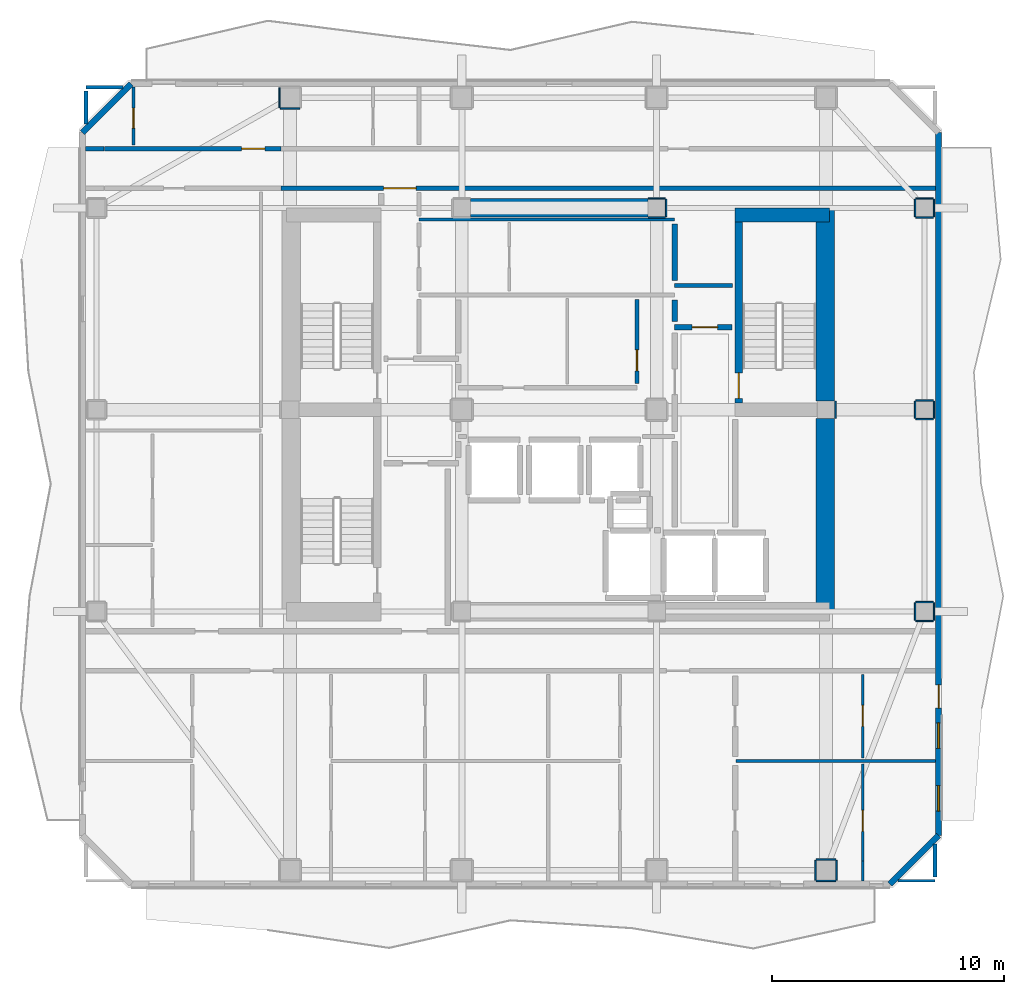
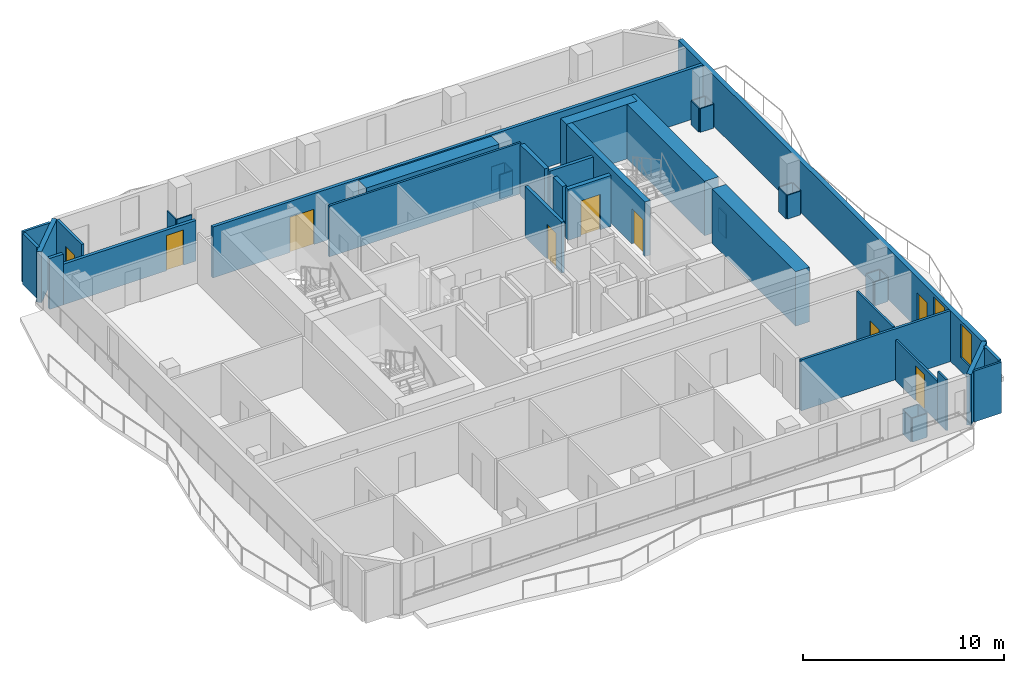
# One storey, part 5 of 10: 48 walls, 9 doors, 2 windows, 11 openings.
"""IFC4 building model written with IfcOpenShell, lengths in metres."""

from ifc_helpers import new_model, si_unit, direction, frame, frame_2d, origin, place, context, subcontext, project, spatial, rectangle, extrude, material, layer, layer_set, type_object, element, fill, save


model = new_model("IFC4")

# Units and contexts
model_context = context("Model", 3, precision=1e-05, world=origin(), true_north=direction((0.0, 1.0)))
body_context = subcontext(model_context, "Body", "Model", "MODEL_VIEW")
ifc_project = project(units=[si_unit("LENGTHUNIT", "METRE"), si_unit("AREAUNIT", "SQUARE_METRE"), si_unit("VOLUMEUNIT", "CUBIC_METRE"), si_unit("PLANEANGLEUNIT", "RADIAN"), si_unit("MASSUNIT", "GRAM", prefix="KILO")], contexts=[model_context])

# Site, building, storey
site_placement = place(None, origin())
site = spatial("IfcSite", under=ifc_project, at=site_placement, CompositionType="ELEMENT")
building_placement = place(site_placement, origin())
building = spatial("IfcBuilding", under=site, at=building_placement, Name="Solanera Arch Residences", CompositionType="ELEMENT")
storey_placement = place(building_placement, frame((0.0, 0.0, 196.800048828125)))
storey = spatial("IfcBuildingStorey", under=building, at=storey_placement, Name="L57", CompositionType="ELEMENT", Elevation=196.800048828125)

# Walls
ifc_material_1 = material(Name="Fire-Rated Gypsum Stud Partition", Category="gypsum")
ifc_layer_1 = layer(ifc_material_1, 0.06005859375)
ifc_layer_set_1 = layer_set([ifc_layer_1], Name="Fire-Rated Gypsum Stud Partition")
wall_type_1 = type_object("IfcWallType", Name="Column Acoustic Furring Wall 60", PredefinedType="PARTITIONING", material=ifc_layer_set_1)
for number, where, z_axis, x_axis, name in (
    (1, (28.8330078125, 38.992919921875, 0.0), (0.0, 0.0, 1.0), (1.0, 0.0, 0.0), "L57 Column Furring 4S"),
    (2, (28.8330078125, 39.806884765625, 0.0), (0.0, 0.0, 1.0), (1.0, 0.0, 0.0), "L57 Column Furring 4N"),
):
    element("IfcWall", number, at=place(storey_placement, frame(where, z_axis=z_axis, x_axis=x_axis)), inside=storey, type_object=wall_type_1, Name=name, PredefinedType="PARTITIONING", context=body_context, shape_type="SweptSolid", body=[
        extrude(rectangle(XDim=0.741943359375, YDim=0.06005859375, at=frame_2d((0.37109375, 0.0))), origin(), (0.0, 0.0, 1.0), 1.449951171875),
    ])
for number, where, z_axis, x_axis, name in (
    (3, (29.60693359375, 39.02490234375, 0.0), (0.0, 0.0, 1.0), (0.0, 1.0, 0.0), "L57 Column Furring 4E"),
    (4, (36.906982421875, 30.324951171875, 0.0), (0.0, 0.0, 1.0), (0.0, 1.0, 0.0), "L57 Column Furring 6E"),
):
    element("IfcWall", number, at=place(storey_placement, frame(where, z_axis=z_axis, x_axis=x_axis)), inside=storey, type_object=wall_type_1, Name=name, PredefinedType="PARTITIONING", context=body_context, shape_type="SweptSolid", body=[
        extrude(rectangle(XDim=0.75, YDim=0.06005859375, at=frame_2d((0.375, 0.0))), origin(), (0.0, 0.0, 1.0), 1.449951171875),
    ])
for number, where, z_axis, x_axis, name in (
    (5, (12.97509765625, 43.693115234375, 0.0), (0.0, 0.0, 1.0), (1.0, 0.0, 0.0), "L57 Column Furring 10S"),
    (6, (12.943115234375, 43.72509765625, 0.0), (0.0, 0.0, 1.0), (0.0, 1.0, 0.0), "L57 Column Furring 10W"),
):
    element("IfcWall", number, at=place(storey_placement, frame(where, z_axis=z_axis, x_axis=x_axis)), inside=storey, type_object=wall_type_1, Name=name, PredefinedType="PARTITIONING", context=body_context, shape_type="SweptSolid", body=[
        extrude(rectangle(XDim=0.849853515625, YDim=0.06005859375, at=frame_2d((0.4248046875, 0.0))), origin(), (0.0, 0.0, 1.0), 1.449951171875),
    ])
for number, where, z_axis, x_axis, name in (
    (7, (36.074951171875, 10.39306640625, 0.0), (0.0, 0.0, 1.0), (1.0, 0.0, 0.0), "L57 Column Furring 15S"),
    (8, (36.074951171875, 11.306884765625, 0.0), (0.0, 0.0, 1.0), (1.0, 0.0, 0.0), "L57 Column Furring 15N"),
):
    element("IfcWall", number, at=place(storey_placement, frame(where, z_axis=z_axis, x_axis=x_axis)), inside=storey, type_object=wall_type_1, Name=name, PredefinedType="PARTITIONING", context=body_context, shape_type="SweptSolid", body=[
        extrude(rectangle(XDim=0.85009765625, YDim=0.06005859375, at=frame_2d((0.425048828125, 0.0))), origin(), (0.0, 0.0, 1.0), 1.449951171875),
    ])
for number, where, z_axis, x_axis, name in (
    (9, (36.04296875, 10.425048828125, 0.0), (0.0, 0.0, 1.0), (0.0, 1.0, 0.0), "L57 Column Furring 15W"),
    (10, (36.95703125, 10.425048828125, 0.0), (0.0, 0.0, 1.0), (0.0, 1.0, 0.0), "L57 Column Furring 15E"),
):
    element("IfcWall", number, at=place(storey_placement, frame(where, z_axis=z_axis, x_axis=x_axis)), inside=storey, type_object=wall_type_1, Name=name, PredefinedType="PARTITIONING", context=body_context, shape_type="SweptSolid", body=[
        extrude(rectangle(XDim=0.849853515625, YDim=0.06005859375, at=frame_2d((0.4248046875, 0.0))), origin(), (0.0, 0.0, 1.0), 1.449951171875),
    ])
for number, where, z_axis, x_axis, name in (
    (11, (40.375, 21.593017578125, 0.0), (0.0, 0.0, 1.0), (1.0, 0.0, 0.0), "L57 Column Furring 18S"),
    (12, (40.375, 22.406982421875, 0.0), (0.0, 0.0, 1.0), (1.0, 0.0, 0.0), "L57 Column Furring 18N"),
    (13, (40.343017578125, 21.625, 0.0), (0.0, 0.0, 1.0), (0.0, 1.0, 0.0), "L57 Column Furring 18W"),
    (14, (41.156982421875, 21.625, 0.0), (0.0, 0.0, 1.0), (0.0, 1.0, 0.0), "L57 Column Furring 18E"),
    (15, (40.375, 30.29296875, 0.0), (0.0, 0.0, 1.0), (1.0, 0.0, 0.0), "L57 Column Furring 20S"),
    (16, (40.375, 31.10693359375, 0.0), (0.0, 0.0, 1.0), (1.0, 0.0, 0.0), "L57 Column Furring 20N"),
    (17, (40.343017578125, 30.324951171875, 0.0), (0.0, 0.0, 1.0), (0.0, 1.0, 0.0), "L57 Column Furring 20W"),
    (18, (41.156982421875, 30.324951171875, 0.0), (0.0, 0.0, 1.0), (0.0, 1.0, 0.0), "L57 Column Furring 20E"),
    (19, (40.375, 38.992919921875, 0.0), (0.0, 0.0, 1.0), (1.0, 0.0, 0.0), "L57 Column Furring 22S"),
    (20, (40.375, 39.806884765625, 0.0), (0.0, 0.0, 1.0), (1.0, 0.0, 0.0), "L57 Column Furring 22N"),
    (21, (40.343017578125, 39.02490234375, 0.0), (0.0, 0.0, 1.0), (0.0, 1.0, 0.0), "L57 Column Furring 22W"),
    (22, (41.156982421875, 39.02490234375, 0.0), (0.0, 0.0, 1.0), (0.0, 1.0, 0.0), "L57 Column Furring 22E"),
):
    element("IfcWall", number, at=place(storey_placement, frame(where, z_axis=z_axis, x_axis=x_axis)), inside=storey, type_object=wall_type_1, Name=name, PredefinedType="PARTITIONING", context=body_context, shape_type="SweptSolid", body=[
        extrude(rectangle(XDim=0.75, YDim=0.06005859375, at=frame_2d((0.375, 0.0))), origin(), (0.0, 0.0, 1.0), 1.449951171875),
    ])

# Wall, opening, door
ifc_material_2 = material(Name="Concrete C40/50 (f'c = 45 MPa)", Category="concrete")
ifc_layer_2 = layer(ifc_material_2, 0.320068359375)
ifc_layer_set_2 = layer_set([ifc_layer_2], Name="Concrete C40/50 (f'c = 45 MPa)")
wall_type_2 = type_object("IfcWallType", Name="Core Shear Wall CW-320", PredefinedType="SHEAR", material=ifc_layer_set_2)
wall_1_placement = place(storey_placement, frame((32.739990234375, 31.0, 0.0), z_axis=(0.0, 0.0, 1.0), x_axis=(0.0, 1.0, 0.0)))
wall_1 = element("IfcWall", 23, at=wall_1_placement, inside=storey, type_object=wall_type_2, Name="L57 Stair ST-T2 West Shear Wall", PredefinedType="SHEAR", context=body_context, shape_type="SweptSolid", body=[
    extrude(rectangle(XDim=7.800048828125, YDim=0.320068359375, at=frame_2d((3.89990234375, 0.0))), origin(), (0.0, 0.0, 1.0), 3.320068359375),
])
opening_1_placement = place(wall_1_placement, frame((0.18994140625, 0.0, 0.0)))
opening_1 = element("IfcOpeningElement", 24, at=opening_1_placement, cuts=wall_1, Name="Opening DF-01", PredefinedType="OPENING", context=body_context, shape_type="SweptSolid", body=[
    extrude(rectangle(XDim=1.10009765625, YDim=2.14990234375, at=frame_2d((0.550048828125, 1.074951171875))), frame((0.0, 0.169921875, 0.0), z_axis=(0.0, -1.0, 0.0), x_axis=(1.0, 0.0, 0.0)), (0.0, 0.0, 1.0), 0.3401),
])
ifc_material_3 = material(Name="Fire-Rated Architectural Hardwood", Category="wood")
door_type_1 = type_object("IfcDoorType", Name="Stair Exit Fire Door DF-01", OperationType="NOTDEFINED", PredefinedType="DOOR", material=ifc_material_3)
door_1_placement = place(opening_1_placement, origin())
door_1 = element("IfcDoor", 25, at=door_1_placement, inside=storey, type_object=door_type_1, Name="DR-L57-STAIR-ST-T2", OperationType="SINGLE_SWING_LEFT", OverallHeight=2.14990234375, OverallWidth=1.10009765625, PredefinedType="DOOR", context=body_context, shape_type="SweptSolid", body=[
    extrude(rectangle(XDim=1.10009765625, YDim=2.14990234375, at=frame_2d((0.550048828125, 1.074951171875))), frame((0.0, 0.02490234375, 0.0), z_axis=(0.0, -1.0, 0.0), x_axis=(1.0, 0.0, 0.0)), (0.0, 0.0, 1.0), 0.050048828125),
])
fill(opening_1, door_1)

# Walls
ifc_material_4 = material(Name="Concrete C40/50 (f'c = 45 MPa)", Category="concrete")
ifc_layer_3 = layer(ifc_material_4, 0.60009765625)
ifc_layer_set_3 = layer_set([ifc_layer_3], Name="Concrete C40/50 (f'c = 45 MPa)")
wall_type_3 = type_object("IfcWallType", Name="Core Shear Wall CW-600", PredefinedType="SHEAR", material=ifc_layer_set_3)
wall_2_placement = place(storey_placement, frame((32.580078125, 39.10009765625, 0.0), z_axis=(0.0, 0.0, 1.0), x_axis=(1.0, 0.0, 0.0)))
element("IfcWall", 26, at=wall_2_placement, inside=storey, type_object=wall_type_3, Name="L57 North-East Core Shear Wall", PredefinedType="SHEAR", context=body_context, shape_type="SweptSolid", body=[
    extrude(rectangle(XDim=4.079833984375, YDim=0.60009765625, at=frame_2d((2.0400390625, 0.0))), origin(), (0.0, 0.0, 1.0), 3.320068359375),
])
ifc_material_5 = material(Name="Concrete C40/50 (f'c = 45 MPa)", Category="concrete")
ifc_layer_4 = layer(ifc_material_5, 0.800048828125)
ifc_layer_set_4 = layer_set([ifc_layer_4], Name="Concrete C40/50 (f'c = 45 MPa)")
wall_type_4 = type_object("IfcWallType", Name="Core Shear Wall CW-800", PredefinedType="SHEAR", material=ifc_layer_set_4)
wall_3_placement = place(storey_placement, frame((36.4599609375, 22.0, 0.0), z_axis=(0.0, 0.0, 1.0), x_axis=(0.0, 1.0, 0.0)))
element("IfcWall", 27, at=wall_3_placement, inside=storey, type_object=wall_type_4, Name="L57 East Core South Shear Wall", PredefinedType="SHEAR", context=body_context, shape_type="SweptSolid", body=[
    extrude(rectangle(XDim=8.320068359375, YDim=0.800048828125, at=frame_2d((4.16015625, 0.0))), origin(), (0.0, 0.0, 1.0), 3.320068359375),
])
wall_4_placement = place(storey_placement, frame((36.4599609375, 31.080078125, 0.0), z_axis=(0.0, 0.0, 1.0), x_axis=(0.0, 1.0, 0.0)))
element("IfcWall", 28, at=wall_4_placement, inside=storey, type_object=wall_type_4, Name="L57 East Core North Shear Wall", PredefinedType="SHEAR", context=body_context, shape_type="SweptSolid", body=[
    extrude(rectangle(XDim=8.31982421875, YDim=0.800048828125, at=frame_2d((4.159912109375, 0.0))), origin(), (0.0, 0.0, 1.0), 3.320068359375),
])
wall_5_placement = place(storey_placement, frame((21.179931640625, 39.39990234375, 0.0), z_axis=(0.0, 0.0, 1.0), x_axis=(1.0, 0.0, 0.0)))
element("IfcWall", 29, at=wall_5_placement, inside=storey, type_object=wall_type_4, Name="L57 Central North Core Shear Wall", PredefinedType="SHEAR", context=body_context, shape_type="SweptSolid", body=[
    extrude(rectangle(XDim=7.64013671875, YDim=0.800048828125, at=frame_2d((3.820068359375, 0.0))), origin(), (0.0, 0.0, 1.0), 3.320068359375),
])
ifc_material_6 = material(Name="Autoclaved Aerated Concrete Blockwork", Category="masonry")
ifc_layer_5 = layer(ifc_material_6, 0.179931640625)
ifc_layer_set_5 = layer_set([ifc_layer_5], Name="Autoclaved Aerated Concrete Blockwork")
wall_type_5 = type_object("IfcWallType", Name="Corridor Fire Partition 180", PredefinedType="PARTITIONING", material=ifc_layer_set_5)
wall_6_placement = place(storey_placement, frame((29.97509765625, 36.050048828125, 0.0), z_axis=(0.0, 0.0, 1.0), x_axis=(1.0, 0.0, 0.0)))
element("IfcWall", 30, at=wall_6_placement, inside=storey, type_object=wall_type_5, Name="L57 Interior Partition H10", PredefinedType="PARTITIONING", context=body_context, shape_type="SweptSolid", body=[
    extrude(rectangle(XDim=2.5048828125, YDim=0.179931640625, at=frame_2d((1.25244140625, 0.0))), origin(), (0.0, 0.0, 1.0), 3.099853515625),
])

# Wall, opening, door
wall_7_placement = place(storey_placement, frame((13.011962890625, 40.25, 0.0), z_axis=(0.0, 0.0, 1.0), x_axis=(1.0, 0.0, 0.0)))
wall_7 = element("IfcWall", 31, at=wall_7_placement, inside=storey, type_object=wall_type_5, Name="L57 Interior Partition H11 3", PredefinedType="PARTITIONING", context=body_context, shape_type="SweptSolid", body=[
    extrude(rectangle(XDim=28.200927734375, YDim=0.179931640625, at=frame_2d((14.1005859375, 0.0))), origin(), (0.0, 0.0, 1.0), 3.099853515625),
])
opening_2_placement = place(wall_7_placement, frame((4.423095703125, 0.0, 0.0)))
opening_2 = element("IfcOpeningElement", 32, at=opening_2_placement, cuts=wall_7, Name="Opening DF-03", PredefinedType="OPENING", context=body_context, shape_type="SweptSolid", body=[
    extrude(rectangle(XDim=1.39990234375, YDim=2.14990234375, at=frame_2d((0.699951171875, 1.074951171875))), frame((0.0, 0.10009765625, 0.0), z_axis=(0.0, -1.0, 0.0), x_axis=(1.0, 0.0, 0.0)), (0.0, 0.0, 1.0), 0.1999),
])
ifc_material_7 = material(Name="Fire-Rated Architectural Hardwood", Category="wood")
door_type_2 = type_object("IfcDoorType", Name="Corridor Smoke Door DF-03", OperationType="NOTDEFINED", PredefinedType="DOOR", material=ifc_material_7)
door_2_placement = place(opening_2_placement, origin())
door_2 = element("IfcDoor", 33, at=door_2_placement, inside=storey, type_object=door_type_2, Name="DR-L57-IN-009", OperationType="SINGLE_SWING_RIGHT", OverallHeight=2.14990234375, OverallWidth=1.39990234375, PredefinedType="DOOR", context=body_context, shape_type="SweptSolid", body=[
    extrude(rectangle(XDim=1.39990234375, YDim=2.14990234375, at=frame_2d((0.699951171875, 1.074951171875))), frame((0.0, 0.02490234375, 0.0), z_axis=(0.0, -1.0, 0.0), x_axis=(1.0, 0.0, 0.0)), (0.0, 0.0, 1.0), 0.050048828125),
])
fill(opening_2, door_2)

# Wall
wall_8_placement = place(storey_placement, frame((4.5869140625, 41.949951171875, 0.0), z_axis=(0.0, 0.0, 1.0), x_axis=(1.0, 0.0, 0.0)))
element("IfcWall", 34, at=wall_8_placement, inside=storey, type_object=wall_type_5, Name="L57 Interior Partition H12 1", PredefinedType="PARTITIONING", context=body_context, shape_type="SweptSolid", body=[
    extrude(rectangle(XDim=0.801025390625, YDim=0.179931640625, at=frame_2d((0.400390625, 0.0))), origin(), (0.0, 0.0, 1.0), 3.099853515625),
])

# Wall, opening, door
wall_9_placement = place(storey_placement, frame((5.387939453125, 41.949951171875, 0.0), z_axis=(0.0, 0.0, 1.0), x_axis=(1.0, 0.0, 0.0)))
wall_9 = element("IfcWall", 35, at=wall_9_placement, inside=storey, type_object=wall_type_5, Name="L57 Interior Partition H12 2", PredefinedType="PARTITIONING", context=body_context, shape_type="SweptSolid", body=[
    extrude(rectangle(XDim=7.6240234375, YDim=0.179931640625, at=frame_2d((3.81201171875, 0.0))), origin(), (0.0, 0.0, 1.0), 2.47705078125),
])
opening_3_placement = place(wall_9_placement, frame((5.922119140625, 0.0, 0.0)))
opening_3 = element("IfcOpeningElement", 36, at=opening_3_placement, cuts=wall_9, Name="Opening DI-01", PredefinedType="OPENING", context=body_context, shape_type="SweptSolid", body=[
    extrude(rectangle(XDim=1.0, YDim=2.14990234375, at=frame_2d((0.5, 1.074951171875))), frame((0.0, 0.10009765625, 0.0), z_axis=(0.0, -1.0, 0.0), x_axis=(1.0, 0.0, 0.0)), (0.0, 0.0, 1.0), 0.1999),
])
ifc_material_8 = material(Name="Fire-Rated Architectural Hardwood", Category="wood")
door_type_3 = type_object("IfcDoorType", Name="Unit Entrance Fire Door DI-01", OperationType="NOTDEFINED", PredefinedType="DOOR", material=ifc_material_8)
door_3_placement = place(opening_3_placement, origin())
door_3 = element("IfcDoor", 37, at=door_3_placement, inside=storey, type_object=door_type_3, Name="DR-L57-IN-028", OperationType="SINGLE_SWING_LEFT", OverallHeight=2.14990234375, OverallWidth=1.0, PredefinedType="DOOR", context=body_context, shape_type="SweptSolid", body=[
    extrude(rectangle(XDim=1.0, YDim=2.14990234375, at=frame_2d((0.5, 1.074951171875))), frame((0.0, 0.02490234375, 0.0), z_axis=(0.0, -1.0, 0.0), x_axis=(1.0, 0.0, 0.0)), (0.0, 0.0, 1.0), 0.050048828125),
])
fill(opening_3, door_3)

# Wall
wall_10_placement = place(storey_placement, frame((4.60009765625, 43.010986328125, 0.0), z_axis=(0.0, 0.0, 1.0), x_axis=(0.0, 1.0, 0.0)))
element("IfcWall", 38, at=wall_10_placement, inside=storey, type_object=wall_type_5, Name="L57 Interior Partition V7 2", PredefinedType="PARTITIONING", context=body_context, shape_type="SweptSolid", body=[
    extrude(rectangle(XDim=1.4208984375, YDim=0.179931640625, at=frame_2d((0.71044921875, 0.0))), origin(), (0.0, 0.0, 1.0), 3.099853515625),
])

# Wall, opening, door
wall_11_placement = place(storey_placement, frame((28.35009765625, 31.837890625, 0.0), z_axis=(0.0, 0.0, 1.0), x_axis=(0.0, 1.0, 0.0)))
wall_11 = element("IfcWall", 39, at=wall_11_placement, inside=storey, type_object=wall_type_5, Name="L57 Interior Partition V10", PredefinedType="PARTITIONING", context=body_context, shape_type="SweptSolid", body=[
    extrude(rectangle(XDim=3.6240234375, YDim=0.179931640625, at=frame_2d((1.81201171875, 0.0))), origin(), (0.0, 0.0, 1.0), 3.099853515625),
])
opening_4_placement = place(wall_11_placement, frame((0.541015625, 0.0, 0.0)))
opening_4 = element("IfcOpeningElement", 40, at=opening_4_placement, cuts=wall_11, Name="Opening DI-02", PredefinedType="OPENING", context=body_context, shape_type="SweptSolid", body=[
    extrude(rectangle(XDim=0.89990234375, YDim=2.10009765625, at=frame_2d((0.449951171875, 1.050048828125))), frame((0.0, 0.10009765625, 0.0), z_axis=(0.0, -1.0, 0.0), x_axis=(1.0, 0.0, 0.0)), (0.0, 0.0, 1.0), 0.1999),
])
ifc_material_9 = material(Name="Fire-Rated Architectural Hardwood", Category="wood")
door_type_4 = type_object("IfcDoorType", Name="Suite Room Swing Door DI-02", OperationType="NOTDEFINED", PredefinedType="DOOR", material=ifc_material_9)
door_4_placement = place(opening_4_placement, origin())
door_4 = element("IfcDoor", 41, at=door_4_placement, inside=storey, type_object=door_type_4, Name="DR-L57-IN-013", OperationType="SINGLE_SWING_RIGHT", OverallHeight=2.10009765625, OverallWidth=0.89990234375, PredefinedType="DOOR", context=body_context, shape_type="SweptSolid", body=[
    extrude(rectangle(XDim=0.89990234375, YDim=2.10009765625, at=frame_2d((0.449951171875, 1.050048828125))), frame((0.0, 0.02490234375, 0.0), z_axis=(0.0, -1.0, 0.0), x_axis=(1.0, 0.0, 0.0)), (0.0, 0.0, 1.0), 0.050048828125),
])
fill(opening_4, door_4)

# Walls
wall_12_placement = place(storey_placement, frame((41.199951171875, 10.55810546875, 0.0), z_axis=(0.0, 0.0, 1.0), x_axis=(0.0, 1.0, 0.0)))
element("IfcWall", 42, at=wall_12_placement, inside=storey, type_object=wall_type_5, Name="L57 Interior Partition V11", PredefinedType="PARTITIONING", context=body_context, shape_type="SweptSolid", body=[
    extrude(rectangle(XDim=1.430908203125, YDim=0.179931640625, at=frame_2d((0.71533203125, 0.0))), origin(), (0.0, 0.0, 1.0), 3.099853515625),
])
ifc_material_10 = material(Name="Precast Concrete C35/45", Category="concrete")
ifc_layer_6 = layer(ifc_material_10, 0.260009765625)
ifc_layer_set_6 = layer_set([ifc_layer_6], Name="Precast Concrete C35/45")
wall_type_6 = type_object("IfcWallType", Name="Exterior Wall Precast Masonry-Frame 260", PredefinedType="STANDARD", material=ifc_layer_set_6)
wall_13_placement = place(storey_placement, frame((4.445068359375, 42.655029296875, 0.0), z_axis=(0.0, 0.0, 1.0), x_axis=(0.707106781187, 0.707106781187, 0.0)))
element("IfcWall", 43, at=wall_13_placement, inside=storey, type_object=wall_type_6, Name="L57 Tower Exterior Precast Masonry-Frame Wall CH1", PredefinedType="STANDARD", context=body_context, shape_type="SweptSolid", body=[
    extrude(rectangle(XDim=2.9697265625, YDim=0.260009765625, at=frame_2d((1.48486328125, 0.0))), origin(), (0.0, 0.0, 1.0), 3.099853515625),
])

# Wall, openings, door, windows
wall_14_placement = place(storey_placement, frame((41.35498046875, 42.655029296875, 0.0), z_axis=(0.0, 0.0, 1.0), x_axis=(0.0, -1.0, 0.0)))
wall_14 = element("IfcWall", 44, at=wall_14_placement, inside=storey, type_object=wall_type_6, Name="L57 Tower Exterior Precast Masonry-Frame Wall E", PredefinedType="STANDARD", context=body_context, shape_type="SweptSolid", body=[
    extrude(rectangle(XDim=30.31005859375, YDim=0.260009765625, at=frame_2d((15.155029296875, 0.0))), origin(), (0.0, 0.0, 1.0), 3.099853515625),
])
opening_5_placement = place(wall_14_placement, frame((23.818115234375, 0.0, 0.0)))
opening_5 = element("IfcOpeningElement", 45, at=opening_5_placement, cuts=wall_14, Name="Opening DB-01", PredefinedType="OPENING", context=body_context, shape_type="SweptSolid", body=[
    extrude(rectangle(XDim=1.0, YDim=2.14990234375, at=frame_2d((0.5, 1.074951171875))), frame((0.0, 0.139892578125, 0.0), z_axis=(0.0, -1.0, 0.0), x_axis=(1.0, 0.0, 0.0)), (0.0, 0.0, 1.0), 0.28),
])
opening_6_placement = place(wall_14_placement, frame((25.45703125, 0.0, 0.85009765625)))
opening_6 = element("IfcOpeningElement", 46, at=opening_6_placement, cuts=wall_14, Name="Opening W-11", PredefinedType="OPENING", context=body_context, shape_type="SweptSolid", body=[
    extrude(rectangle(XDim=1.10009765625, YDim=2.050048828125, at=frame_2d((0.550048828125, 1.02490234375))), frame((0.0, 0.139892578125, 0.0), z_axis=(0.0, -1.0, 0.0), x_axis=(1.0, 0.0, 0.0)), (0.0, 0.0, 1.0), 0.28),
])
opening_7_placement = place(wall_14_placement, frame((28.157958984375, 0.0, 0.85009765625)))
opening_7 = element("IfcOpeningElement", 47, at=opening_7_placement, cuts=wall_14, Name="Opening W-11", PredefinedType="OPENING", context=body_context, shape_type="SweptSolid", body=[
    extrude(rectangle(XDim=1.10009765625, YDim=2.050048828125, at=frame_2d((0.550048828125, 1.02490234375))), frame((0.0, 0.139892578125, 0.0), z_axis=(0.0, -1.0, 0.0), x_axis=(1.0, 0.0, 0.0)), (0.0, 0.0, 1.0), 0.28),
])
ifc_material_11 = material(Name="Anodised Aluminium Alloy 6063-T6", Category="aluminium")
door_type_5 = type_object("IfcDoorType", Name="Glazed Balcony Swing Door DB-01", OperationType="NOTDEFINED", PredefinedType="DOOR", material=ifc_material_11)
door_5_placement = place(opening_5_placement, origin())
door_5 = element("IfcDoor", 48, at=door_5_placement, inside=storey, type_object=door_type_5, Name="DR-L57-OUT-03", OperationType="SINGLE_SWING_LEFT", OverallHeight=2.14990234375, OverallWidth=1.0, PredefinedType="DOOR", context=body_context, shape_type="SweptSolid", body=[
    extrude(rectangle(XDim=1.0, YDim=2.14990234375, at=frame_2d((0.5, 1.074951171875))), frame((0.0, 0.02490234375, 0.0), z_axis=(0.0, -1.0, 0.0), x_axis=(1.0, 0.0, 0.0)), (0.0, 0.0, 1.0), 0.050048828125),
])
fill(opening_5, door_5)
ifc_material_12 = material(Name="Double Glazed Low-E Laminated Glass", Category="glass")
window_type = type_object("IfcWindowType", Name="Punched Window W-11", PartitioningType="SINGLE_PANEL", PredefinedType="WINDOW", material=ifc_material_12)
window_1_placement = place(opening_6_placement, origin())
window_1 = element("IfcWindow", 49, at=window_1_placement, inside=storey, type_object=window_type, Name="L57 5702-STD Punched Window", OverallHeight=2.050048828125, OverallWidth=1.10009765625, PartitioningType="SINGLE_PANEL", PredefinedType="WINDOW", context=body_context, shape_type="SweptSolid", body=[
    extrude(rectangle(XDim=1.10009765625, YDim=2.050048828125, at=frame_2d((0.550048828125, 1.02490234375))), frame((0.0, 0.030029296875, 0.0), z_axis=(0.0, -1.0, 0.0), x_axis=(1.0, 0.0, 0.0)), (0.0, 0.0, 1.0), 0.06005859375),
])
fill(opening_6, window_1)
window_2_placement = place(opening_7_placement, origin())
window_2 = element("IfcWindow", 50, at=window_2_placement, inside=storey, type_object=window_type, Name="L57 5702-BR3 Punched Window", OverallHeight=2.050048828125, OverallWidth=1.10009765625, PartitioningType="SINGLE_PANEL", PredefinedType="WINDOW", context=body_context, shape_type="SweptSolid", body=[
    extrude(rectangle(XDim=1.10009765625, YDim=2.050048828125, at=frame_2d((0.550048828125, 1.02490234375))), frame((0.0, 0.030029296875, 0.0), z_axis=(0.0, -1.0, 0.0), x_axis=(1.0, 0.0, 0.0)), (0.0, 0.0, 1.0), 0.06005859375),
])
fill(opening_7, window_2)

# Wall
wall_15_placement = place(storey_placement, frame((41.35498046875, 12.344970703125, 0.0), z_axis=(0.0, 0.0, 1.0), x_axis=(-0.707147883682, -0.707065676302, 0.0)))
element("IfcWall", 51, at=wall_15_placement, inside=storey, type_object=wall_type_6, Name="L57 Tower Exterior Precast Masonry-Frame Wall CH5", PredefinedType="STANDARD", context=body_context, shape_type="SweptSolid", body=[
    extrude(rectangle(XDim=2.9697265625, YDim=0.260009765625, at=frame_2d((1.48486328125, 0.0))), origin(), (0.0, 0.0, 1.0), 3.099853515625),
])

# Wall, opening, door
ifc_material_13 = material(Name="Autoclaved Aerated Concrete Blockwork", Category="masonry")
ifc_layer_7 = layer(ifc_material_13, 0.239990234375)
ifc_layer_set_7 = layer_set([ifc_layer_7], Name="Autoclaved Aerated Concrete Blockwork")
wall_type_7 = type_object("IfcWallType", Name="Shaft Wall Fire-Rated 240", PredefinedType="PARTITIONING", material=ifc_layer_set_7)
wall_16_placement = place(storey_placement, frame((29.97509765625, 34.25, 0.0), z_axis=(0.0, 0.0, 1.0), x_axis=(1.0, 0.0, 0.0)))
wall_16 = element("IfcWall", 52, at=wall_16_placement, inside=storey, type_object=wall_type_7, Name="L57 Interior Partition H5", PredefinedType="PARTITIONING", context=body_context, shape_type="SweptSolid", body=[
    extrude(rectangle(XDim=2.474853515625, YDim=0.239990234375, at=frame_2d((1.2373046875, 0.0))), origin(), (0.0, 0.0, 1.0), 3.099853515625),
])
opening_8_placement = place(wall_16_placement, frame((0.751953125, 0.0, 0.0)))
opening_8 = element("IfcOpeningElement", 53, at=opening_8_placement, cuts=wall_16, Name="Opening DF-02", PredefinedType="OPENING", context=body_context, shape_type="SweptSolid", body=[
    extrude(rectangle(XDim=1.10009765625, YDim=2.14990234375, at=frame_2d((0.550048828125, 1.074951171875))), frame((0.0, 0.1298828125, 0.0), z_axis=(0.0, -1.0, 0.0), x_axis=(1.0, 0.0, 0.0)), (0.0, 0.0, 1.0), 0.26),
])
ifc_material_14 = material(Name="Fire-Rated Architectural Hardwood", Category="wood")
door_type_6 = type_object("IfcDoorType", Name="Firefighting Lobby Fire Door DF-02", OperationType="NOTDEFINED", PredefinedType="DOOR", material=ifc_material_14)
door_6_placement = place(opening_8_placement, origin())
door_6 = element("IfcDoor", 54, at=door_6_placement, inside=storey, type_object=door_type_6, Name="DR-L57-IN-007", OperationType="SINGLE_SWING_RIGHT", OverallHeight=2.14990234375, OverallWidth=1.10009765625, PredefinedType="DOOR", context=body_context, shape_type="SweptSolid", body=[
    extrude(rectangle(XDim=1.10009765625, YDim=2.14990234375, at=frame_2d((0.550048828125, 1.074951171875))), frame((0.0, 0.02490234375, 0.0), z_axis=(0.0, -1.0, 0.0), x_axis=(1.0, 0.0, 0.0)), (0.0, 0.0, 1.0), 0.050048828125),
])
fill(opening_8, door_6)

# Walls
wall_17_placement = place(storey_placement, frame((29.97509765625, 34.498046875, 0.0), z_axis=(0.0, 0.0, 1.0), x_axis=(0.0, 1.0, 0.0)))
element("IfcWall", 55, at=wall_17_placement, inside=storey, type_object=wall_type_7, Name="L57 Interior Partition V4 3", PredefinedType="PARTITIONING", context=body_context, shape_type="SweptSolid", body=[
    extrude(rectangle(XDim=0.933837890625, YDim=0.239990234375, at=frame_2d((0.466796875, 0.0))), origin(), (0.0, 0.0, 1.0), 3.099853515625),
])
wall_18_placement = place(storey_placement, frame((29.97509765625, 36.26806640625, 0.0), z_axis=(0.0, 0.0, 1.0), x_axis=(0.0, 1.0, 0.0)))
element("IfcWall", 56, at=wall_18_placement, inside=storey, type_object=wall_type_7, Name="L57 Interior Partition V4 4", PredefinedType="PARTITIONING", context=body_context, shape_type="SweptSolid", body=[
    extrude(rectangle(XDim=2.44384765625, YDim=0.239990234375, at=frame_2d((1.221923828125, 0.0))), origin(), (0.0, 0.0, 1.0), 3.099853515625),
])
ifc_material_15 = material(Name="Fire-Rated Gypsum Stud Partition", Category="gypsum")
ifc_layer_8 = layer(ifc_material_15, 0.1201171875)
ifc_layer_set_8 = layer_set([ifc_layer_8], Name="Fire-Rated Gypsum Stud Partition")
wall_type_8 = type_object("IfcWallType", Name="Unit Drywall Partition 120", PredefinedType="PARTITIONING", material=ifc_layer_set_8)
wall_19_placement = place(storey_placement, frame((39.611083984375, 10.39990234375, 0.0), z_axis=(0.0, 0.0, 1.0), x_axis=(1.0, 0.0, 0.0)))
element("IfcWall", 57, at=wall_19_placement, inside=storey, type_object=wall_type_8, Name="L57 Interior Partition H19 2", PredefinedType="PARTITIONING", context=body_context, shape_type="SweptSolid", body=[
    extrude(rectangle(XDim=1.5888671875, YDim=0.1201171875, at=frame_2d((0.79443359375, 0.0))), origin(), (0.0, 0.0, 1.0), 3.099853515625),
])
wall_20_placement = place(storey_placement, frame((18.949951171875, 38.89990234375, 0.0), z_axis=(0.0, 0.0, 1.0), x_axis=(1.0, 0.0, 0.0)))
element("IfcWall", 58, at=wall_20_placement, inside=storey, type_object=wall_type_8, Name="L57 Interior Partition H20", PredefinedType="PARTITIONING", context=body_context, shape_type="SweptSolid", body=[
    extrude(rectangle(XDim=11.025146484375, YDim=0.1201171875, at=frame_2d((5.5126953125, 0.0))), origin(), (0.0, 0.0, 1.0), 3.099853515625),
])
wall_21_placement = place(storey_placement, frame((38.080078125, 10.386962890625, 0.0), z_axis=(0.0, 0.0, 1.0), x_axis=(0.0, 1.0, 0.0)))
element("IfcWall", 59, at=wall_21_placement, inside=storey, type_object=wall_type_8, Name="L57 Interior Partition V24 1", PredefinedType="PARTITIONING", context=body_context, shape_type="SweptSolid", body=[
    extrude(rectangle(XDim=0.85205078125, YDim=0.1201171875, at=frame_2d((0.426025390625, 0.0))), origin(), (0.0, 0.0, 1.0), 3.099853515625),
])

# Wall, opening, door
wall_22_placement = place(storey_placement, frame((38.080078125, 11.239013671875, 0.0), z_axis=(0.0, 0.0, 1.0), x_axis=(0.0, 1.0, 0.0)))
wall_22 = element("IfcWall", 60, at=wall_22_placement, inside=storey, type_object=wall_type_8, Name="L57 Interior Partition V24 2", PredefinedType="PARTITIONING", context=body_context, shape_type="SweptSolid", body=[
    extrude(rectangle(XDim=4.181884765625, YDim=0.1201171875, at=frame_2d((2.0908203125, 0.0))), origin(), (0.0, 0.0, 1.0), 2.47705078125),
])
opening_9_placement = place(wall_22_placement, frame((1.291015625, 0.0, 0.0)))
opening_9 = element("IfcOpeningElement", 61, at=opening_9_placement, cuts=wall_22, Name="Opening DI-03", PredefinedType="OPENING", context=body_context, shape_type="SweptSolid", body=[
    extrude(rectangle(XDim=0.89990234375, YDim=2.10009765625, at=frame_2d((0.449951171875, 1.050048828125))), frame((0.0, 0.070068359375, 0.0), z_axis=(0.0, -1.0, 0.0), x_axis=(1.0, 0.0, 0.0)), (0.0, 0.0, 1.0), 0.1401),
])
ifc_material_16 = material(Name="Fire-Rated Architectural Hardwood", Category="wood")
door_type_7 = type_object("IfcDoorType", Name="Bedroom Swing Door DI-03", OperationType="NOTDEFINED", PredefinedType="DOOR", material=ifc_material_16)
door_7_placement = place(opening_9_placement, origin())
door_7 = element("IfcDoor", 62, at=door_7_placement, inside=storey, type_object=door_type_7, Name="DR-L57-IN-027", OperationType="SINGLE_SWING_RIGHT", OverallHeight=2.10009765625, OverallWidth=0.89990234375, PredefinedType="DOOR", context=body_context, shape_type="SweptSolid", body=[
    extrude(rectangle(XDim=0.89990234375, YDim=2.10009765625, at=frame_2d((0.449951171875, 1.050048828125))), frame((0.0, 0.02490234375, 0.0), z_axis=(0.0, -1.0, 0.0), x_axis=(1.0, 0.0, 0.0)), (0.0, 0.0, 1.0), 0.050048828125),
])
fill(opening_9, door_7)

wall_23_placement = place(storey_placement, frame((38.080078125, 15.697021484375, 0.0), z_axis=(0.0, 0.0, 1.0), x_axis=(0.0, 1.0, 0.0)))
wall_23 = element("IfcWall", 63, at=wall_23_placement, inside=storey, type_object=wall_type_8, Name="L57 Interior Partition V24 3", PredefinedType="PARTITIONING", context=body_context, shape_type="SweptSolid", body=[
    extrude(rectangle(XDim=3.594970703125, YDim=0.1201171875, at=frame_2d((1.79736328125, 0.0))), origin(), (0.0, 0.0, 1.0), 3.099853515625),
])
opening_10_placement = place(wall_23_placement, frame((1.35791015625, 0.0, 0.0)))
opening_10 = element("IfcOpeningElement", 64, at=opening_10_placement, cuts=wall_23, Name="Opening DI-02", PredefinedType="OPENING", context=body_context, shape_type="SweptSolid", body=[
    extrude(rectangle(XDim=0.89990234375, YDim=2.10009765625, at=frame_2d((0.449951171875, 1.050048828125))), frame((0.0, 0.070068359375, 0.0), z_axis=(0.0, -1.0, 0.0), x_axis=(1.0, 0.0, 0.0)), (0.0, 0.0, 1.0), 0.1401),
])
door_8_placement = place(opening_10_placement, origin())
door_8 = element("IfcDoor", 65, at=door_8_placement, inside=storey, type_object=door_type_4, Name="DR-L57-IN-025", OperationType="SINGLE_SWING_RIGHT", OverallHeight=2.10009765625, OverallWidth=0.89990234375, PredefinedType="DOOR", context=body_context, shape_type="SweptSolid", body=[
    extrude(rectangle(XDim=0.89990234375, YDim=2.10009765625, at=frame_2d((0.449951171875, 1.050048828125))), frame((0.0, 0.02490234375, 0.0), z_axis=(0.0, -1.0, 0.0), x_axis=(1.0, 0.0, 0.0)), (0.0, 0.0, 1.0), 0.050048828125),
])
fill(opening_10, door_8)

# Walls
ifc_material_17 = material(Name="Autoclaved Aerated Concrete Blockwork", Category="masonry")
ifc_layer_9 = layer(ifc_material_17, 0.139892578125)
ifc_layer_set_9 = layer_set([ifc_layer_9], Name="Autoclaved Aerated Concrete Blockwork")
wall_type_9 = type_object("IfcWallType", Name="Wet-Room Partition 140", PredefinedType="PARTITIONING", material=ifc_layer_set_9)
wall_24_placement = place(storey_placement, frame((32.6220703125, 15.55908203125, 0.0), z_axis=(0.0, 0.0, 1.0), x_axis=(1.0, 0.0, 0.0)))
element("IfcWall", 66, at=wall_24_placement, inside=storey, type_object=wall_type_9, Name="L57 Interior Partition H15", PredefinedType="PARTITIONING", context=body_context, shape_type="SweptSolid", body=[
    extrude(rectangle(XDim=8.5908203125, YDim=0.139892578125, at=frame_2d((4.29541015625, 0.0))), origin(), (0.0, 0.0, 1.0), 3.099853515625),
])
wall_25_placement = place(storey_placement, frame((4.60009765625, 44.60009765625, 0.0), z_axis=(0.0, 0.0, 1.0), x_axis=(1.0, 0.0, 0.0)))
element("IfcWall", 67, at=wall_25_placement, inside=storey, type_object=wall_type_9, Name="L57 Interior Partition H18 1", PredefinedType="PARTITIONING", context=body_context, shape_type="SweptSolid", body=[
    extrude(rectangle(XDim=1.5888671875, YDim=0.139892578125, at=frame_2d((0.79443359375, 0.0))), origin(), (0.0, 0.0, 1.0), 3.099853515625),
])

# Wall, opening, door
wall_26_placement = place(storey_placement, frame((6.64990234375, 42.117919921875, 0.0), z_axis=(0.0, 0.0, 1.0), x_axis=(0.0, 1.0, 0.0)))
wall_26 = element("IfcWall", 68, at=wall_26_placement, inside=storey, type_object=wall_type_9, Name="L57 Interior Partition V13", PredefinedType="PARTITIONING", context=body_context, shape_type="SweptSolid", body=[
    extrude(rectangle(XDim=2.4951171875, YDim=0.139892578125, at=frame_2d((1.24755859375, 0.0))), origin(), (0.0, 0.0, 1.0), 3.099853515625),
])
opening_11_placement = place(wall_26_placement, frame((0.72705078125, 0.0, 0.0)))
opening_11 = element("IfcOpeningElement", 69, at=opening_11_placement, cuts=wall_26, Name="Opening DI-05", PredefinedType="OPENING", context=body_context, shape_type="SweptSolid", body=[
    extrude(rectangle(XDim=0.860107421875, YDim=2.02001953125, at=frame_2d((0.43017578125, 1.010009765625))), frame((0.0, 0.079833984375, 0.0), z_axis=(0.0, -1.0, 0.0), x_axis=(1.0, 0.0, 0.0)), (0.0, 0.0, 1.0), 0.1599),
])
ifc_material_18 = material(Name="Fire-Rated Architectural Hardwood", Category="wood")
door_type_8 = type_object("IfcDoorType", Name="Bathroom Swing Door DI-05", OperationType="NOTDEFINED", PredefinedType="DOOR", material=ifc_material_18)
door_9_placement = place(opening_11_placement, origin())
door_9 = element("IfcDoor", 70, at=door_9_placement, inside=storey, type_object=door_type_8, Name="DR-L57-IN-029", OperationType="SINGLE_SWING_RIGHT", OverallHeight=2.02001953125, OverallWidth=0.860107421875, PredefinedType="DOOR", context=body_context, shape_type="SweptSolid", body=[
    extrude(rectangle(XDim=0.860107421875, YDim=2.02001953125, at=frame_2d((0.43017578125, 1.010009765625))), frame((0.0, 0.02490234375, 0.0), z_axis=(0.0, -1.0, 0.0), x_axis=(1.0, 0.0, 0.0)), (0.0, 0.0, 1.0), 0.050048828125),
])
fill(opening_11, door_9)

save(model, "model.ifc")
